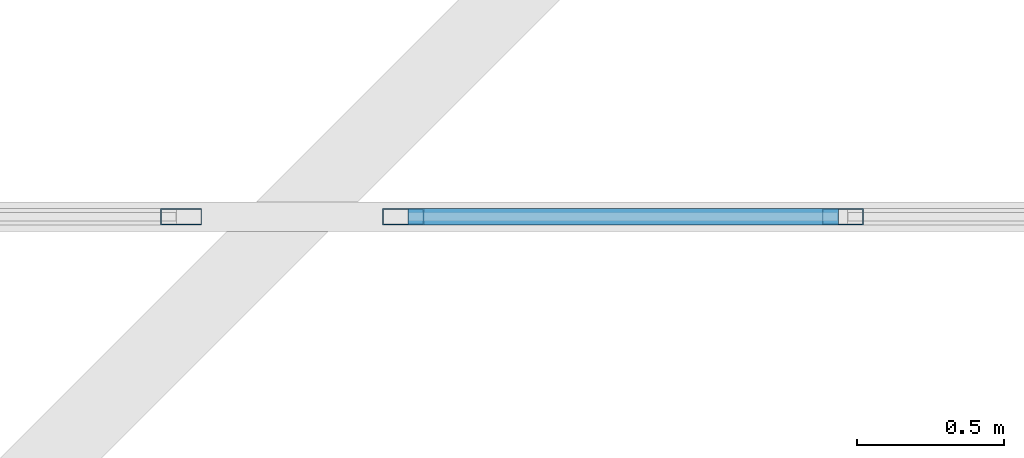
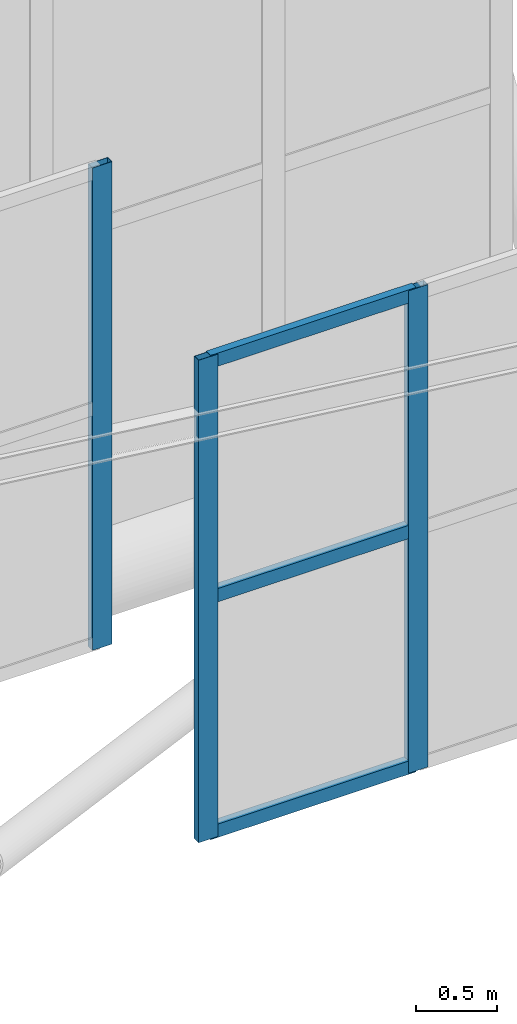
# One storey, part 321 of 397: 6 members, 2 elements without a shape of their own.
"""IFC4 building model written with IfcOpenShell, lengths in metres."""

from ifc_helpers import new_model, si_unit, direction, frame, origin, origin_2d, place, context, subcontext, project, spatial, hollow_rectangle, extrude, material, material_profile, profile_set, type_object, element, aggregate, save


model = new_model("IFC4")

# Units and contexts
model_context = context("Model", 3, precision=1e-05, world=origin(), true_north=direction((0.0, 1.0)))
body_context = subcontext(model_context, "Body", "Model", "MODEL_VIEW")
ifc_project = project(units=[si_unit("LENGTHUNIT", "METRE"), si_unit("AREAUNIT", "SQUARE_METRE"), si_unit("VOLUMEUNIT", "CUBIC_METRE"), si_unit("PLANEANGLEUNIT", "RADIAN"), si_unit("MASSUNIT", "GRAM", prefix="KILO")], contexts=[model_context])

# Site, building, storey
site_placement = place(None, origin())
site = spatial("IfcSite", under=ifc_project, at=site_placement, CompositionType="ELEMENT")
building_placement = place(site_placement, origin())
building = spatial("IfcBuilding", under=site, at=building_placement, Name="Qandorah Velis Arena", CompositionType="ELEMENT")
storey_placement = place(building_placement, frame((0.0, 0.0, 27.5)))
storey = spatial("IfcBuildingStorey", under=building, at=storey_placement, Name="RF", CompositionType="ELEMENT", Elevation=27.5)

# Curtain wall, member
ifc_material_1 = material(Name="Solar-control low-E double glazing", Category="glass")
curtain_wall_type_1 = type_object("IfcCurtainWallType", Name="ARC-CW-SYS05", PredefinedType="USERDEFINED", material=ifc_material_1)
curtain_wall_1_placement = place(storey_placement, origin())
curtain_wall_1 = element("IfcCurtainWall", 1, at=curtain_wall_1_placement, inside=storey, type_object=curtain_wall_type_1, Name="Unitised curtain wall MON-4-5", ObjectType="UNITISED CURTAIN WALL", PredefinedType="USERDEFINED")
ifc_material_2 = material(Name="Champagne-bronze anodized aluminium 6063-T6", Category="aluminium")
ifc_material_profile_1 = material_profile(ifc_material_2, hollow_rectangle(XDim=0.054931640625, YDim=0.139892578125, WallThickness=0.0029296875, at=origin_2d()), Name="ALU MULLION 55x140")
ifc_profile_set_1 = profile_set([ifc_material_profile_1], Name="Champagne-bronze anodized aluminium 6063-T6")
member_type_1 = type_object("IfcMemberType", Name="ARC-CWM-140", PredefinedType="MULLION", material=ifc_profile_set_1)
member_1_placement = place(storey_placement, frame((93.222412109375, 108.0, 5.337646484375), z_axis=(0.0, 0.0, 1.0), x_axis=(0.0, 1.0, 0.0)))
member_1 = element("IfcMember", 2, at=member_1_placement, type_object=member_type_1, Name="CW05 mullion 10", PredefinedType="MULLION", context=body_context, shape_type="SweptSolid", body=[
    extrude(hollow_rectangle(XDim=0.054931640625, YDim=0.139892578125, WallThickness=0.0029296875, at=origin_2d()), origin(), (0.0, 0.0, 1.0), 3.630126953125),
])
aggregate(curtain_wall_1, [member_1])

# Curtain wall, members
curtain_wall_type_2 = type_object("IfcCurtainWallType", Name="ARC-CW-SYS06", PredefinedType="USERDEFINED", material=ifc_material_1)
curtain_wall_2_placement = place(storey_placement, origin())
curtain_wall_2 = element("IfcCurtainWall", 3, at=curtain_wall_2_placement, inside=storey, type_object=curtain_wall_type_2, Name="Unitised curtain wall MON-4-6", ObjectType="UNITISED CURTAIN WALL", PredefinedType="USERDEFINED")
member_2_placement = place(storey_placement, frame((93.9775390625, 108.0, 3.625732421875), z_axis=(0.0, 0.0, 1.0), x_axis=(0.0, 1.0, 0.0)))
member_2 = element("IfcMember", 4, at=member_2_placement, type_object=member_type_1, Name="CW06 mullion 1", PredefinedType="MULLION", context=body_context, shape_type="SweptSolid", body=[
    extrude(hollow_rectangle(XDim=0.054931640625, YDim=0.139892578125, WallThickness=0.0029296875, at=origin_2d()), origin(), (0.0, 0.0, 1.0), 3.630126953125),
])
member_3_placement = place(storey_placement, frame((95.47216796875, 108.0, 3.625732421875), z_axis=(0.0, 0.0, 1.0), x_axis=(0.0, 1.0, 0.0)))
member_3 = element("IfcMember", 5, at=member_3_placement, type_object=member_type_1, Name="CW06 mullion 2", PredefinedType="MULLION", context=body_context, shape_type="SweptSolid", body=[
    extrude(hollow_rectangle(XDim=0.054931640625, YDim=0.139892578125, WallThickness=0.0029296875, at=origin_2d()), origin(), (0.0, 0.0, 1.0), 3.630126953125),
])
ifc_material_profile_2 = material_profile(ifc_material_2, hollow_rectangle(XDim=0.054931640625, YDim=0.10009765625, WallThickness=0.0029296875, at=origin_2d()), Name="ALU TRANSOM 55x100")
ifc_profile_set_2 = profile_set([ifc_material_profile_2], Name="Champagne-bronze anodized aluminium 6063-T6")
member_type_2 = type_object("IfcMemberType", Name="ARC-CWT-100", PredefinedType="USERDEFINED", material=ifc_profile_set_2)
member_4_placement = place(storey_placement, frame((93.992919921875, 108.0, 3.668212890625), z_axis=(1.0, 0.0, 0.0), x_axis=(0.0, 1.0, 0.0)))
member_4 = element("IfcMember", 6, at=member_4_placement, type_object=member_type_2, Name="CW06 transom 1.1", ObjectType="TRANSOM", PredefinedType="USERDEFINED", context=body_context, shape_type="SweptSolid", body=[
    extrude(hollow_rectangle(XDim=0.054931640625, YDim=0.10009765625, WallThickness=0.0029296875, at=origin_2d()), origin(), (0.0, 0.0, 1.0), 1.4638671875),
])
member_5_placement = place(storey_placement, frame((93.992919921875, 108.0, 5.44091796875), z_axis=(1.0, 0.0, 0.0), x_axis=(0.0, 1.0, 0.0)))
member_5 = element("IfcMember", 7, at=member_5_placement, type_object=member_type_2, Name="CW06 transom 1.2", ObjectType="TRANSOM", PredefinedType="USERDEFINED", context=body_context, shape_type="SweptSolid", body=[
    extrude(hollow_rectangle(XDim=0.054931640625, YDim=0.10009765625, WallThickness=0.0029296875, at=origin_2d()), origin(), (0.0, 0.0, 1.0), 1.4638671875),
])
member_6_placement = place(storey_placement, frame((93.992919921875, 108.0, 7.21337890625), z_axis=(1.0, 0.0, 0.0), x_axis=(0.0, 1.0, 0.0)))
member_6 = element("IfcMember", 8, at=member_6_placement, type_object=member_type_2, Name="CW06 transom 1.3", ObjectType="TRANSOM", PredefinedType="USERDEFINED", context=body_context, shape_type="SweptSolid", body=[
    extrude(hollow_rectangle(XDim=0.054931640625, YDim=0.10009765625, WallThickness=0.0029296875, at=origin_2d()), origin(), (0.0, 0.0, 1.0), 1.4638671875),
])
aggregate(curtain_wall_2, [member_2, member_3, member_4, member_5, member_6])

save(model, "model.ifc")
